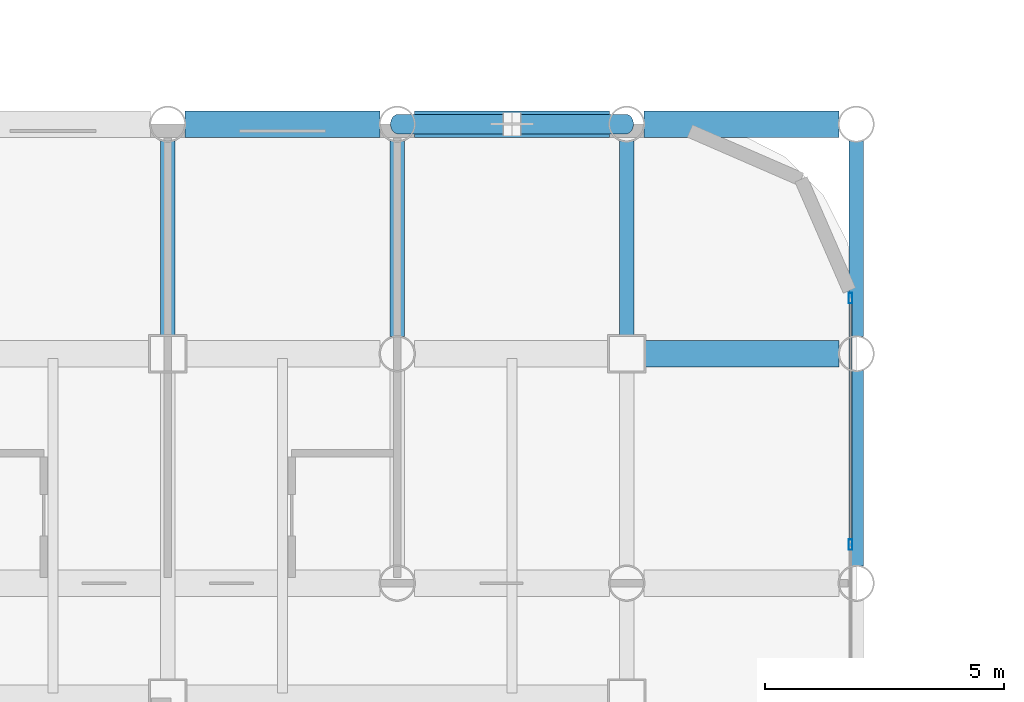
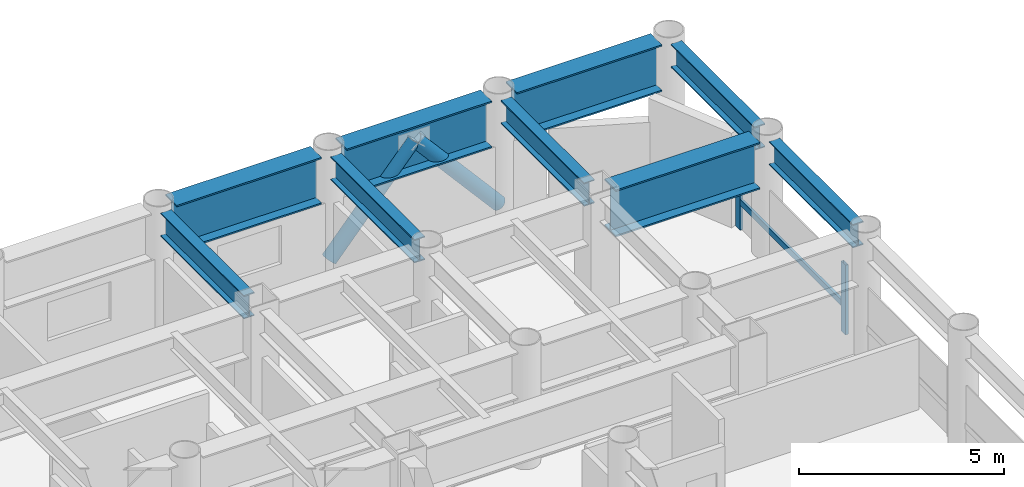
# One storey, part 14 of 24: 9 beams, 5 members, 1 element without a shape of its own.
"""IFC4 building model written with IfcOpenShell, lengths in metres."""

from ifc_helpers import new_model, si_unit, direction, frame, origin, origin_2d, place, context, subcontext, project, spatial, hollow_rectangle, hollow_circle, i_section, extrude, material, layer, layer_set, material_profile, profile_set, type_object, element, aggregate, save


model = new_model("IFC4")

# Units and contexts
model_context = context("Model", 3, precision=1e-05, world=origin(), true_north=direction((0.0, 1.0)))
body_context = subcontext(model_context, "Body", "Model", "MODEL_VIEW")
ifc_project = project(units=[si_unit("LENGTHUNIT", "METRE"), si_unit("AREAUNIT", "SQUARE_METRE"), si_unit("VOLUMEUNIT", "CUBIC_METRE"), si_unit("PLANEANGLEUNIT", "RADIAN"), si_unit("MASSUNIT", "GRAM", prefix="KILO")], contexts=[model_context])

# Site, building, storey
site_placement = place(None, origin())
site = spatial("IfcSite", under=ifc_project, at=site_placement, CompositionType="ELEMENT")
building_placement = place(site_placement, origin())
building = spatial("IfcBuilding", under=site, at=building_placement, Name="Kallvorn Hotel Tower", CompositionType="ELEMENT")
storey_placement = place(building_placement, frame((0.0, 0.0, 30.0)))
storey = spatial("IfcBuildingStorey", under=building, at=storey_placement, Name="L05", CompositionType="ELEMENT", Elevation=30.0)

# Beams
ifc_material_1 = material(Name="Structural steel S355JR", Category="steel")
ifc_material_profile_1 = material_profile(ifc_material_1, i_section(OverallWidth=0.300048828125, OverallDepth=0.699951171875, WebThickness=0.01708984375, FlangeThickness=0.031982421875, at=origin_2d()), Name="HE 700 B")
ifc_profile_set_1 = profile_set([ifc_material_profile_1], Name="Structural steel S355JR")
beam_type_1 = type_object("IfcBeamType", Name="BM_HE700B", PredefinedType="BEAM", material=ifc_profile_set_1)
beam_1_placement = place(storey_placement, frame((14.39990234375, 14.77490234375, 3.169921875), z_axis=(0.0, 1.0, 0.0), x_axis=(-1.0, 0.0, 0.0)))
element("IfcBeam", 1, at=beam_1_placement, inside=storey, type_object=beam_type_1, Name="L06 Primary Y-Girder 126", PredefinedType="BEAM", context=body_context, shape_type="SweptSolid", body=[
    extrude(i_section(OverallWidth=0.300048828125, OverallDepth=0.699951171875, WebThickness=0.01708984375, FlangeThickness=0.031982421875, at=origin_2d()), origin(), (0.0, 0.0, 1.0), 4.069091796875),
])
beam_2_placement = place(storey_placement, frame((19.199951171875, 14.756103515625, 3.169921875), z_axis=(0.0, 1.0, 0.0), x_axis=(-1.0, 0.0, 0.0)))
element("IfcBeam", 2, at=beam_2_placement, inside=storey, type_object=beam_type_1, Name="L06 Primary Y-Girder 135", PredefinedType="BEAM", context=body_context, shape_type="SweptSolid", body=[
    extrude(i_section(OverallWidth=0.300048828125, OverallDepth=0.699951171875, WebThickness=0.01708984375, FlangeThickness=0.031982421875, at=origin_2d()), origin(), (0.0, 0.0, 1.0), 4.087890625),
])
beam_3_placement = place(storey_placement, frame((24.0, 14.77490234375, 3.169921875), z_axis=(0.0, 1.0, 0.0), x_axis=(-1.0, 0.0, 0.0)))
element("IfcBeam", 3, at=beam_3_placement, inside=storey, type_object=beam_type_1, Name="L06 Primary Y-Girder 142", PredefinedType="BEAM", context=body_context, shape_type="SweptSolid", body=[
    extrude(i_section(OverallWidth=0.300048828125, OverallDepth=0.699951171875, WebThickness=0.01708984375, FlangeThickness=0.031982421875, at=origin_2d()), origin(), (0.0, 0.0, 1.0), 4.069091796875),
])
for number, where, z_axis, x_axis, name in (
    (4, (28.800048828125, 9.9560546875, 3.169921875), (0.0, 1.0, 0.0), (-1.0, 0.0, 0.0), "L06 Primary Y-Girder 149"),
    (5, (28.800048828125, 14.756103515625, 3.169921875), (0.0, 1.0, 0.0), (-1.0, 0.0, 0.0), "L06 Primary Y-Girder 150"),
):
    element("IfcBeam", number, at=place(storey_placement, frame(where, z_axis=z_axis, x_axis=x_axis)), inside=storey, type_object=beam_type_1, Name=name, PredefinedType="BEAM", context=body_context, shape_type="SweptSolid", body=[
        extrude(i_section(OverallWidth=0.300048828125, OverallDepth=0.699951171875, WebThickness=0.01708984375, FlangeThickness=0.031982421875, at=origin_2d()), origin(), (0.0, 0.0, 1.0), 4.087890625),
    ])
ifc_material_2 = material(Name="Structural steel S355JR", Category="steel")
ifc_material_profile_2 = material_profile(ifc_material_2, i_section(OverallWidth=0.550048828125, OverallDepth=1.39990234375, WebThickness=0.02490234375, FlangeThickness=0.044921875, at=origin_2d()), Name="PG 1400x550x25x45")
ifc_profile_set_2 = profile_set([ifc_material_profile_2], Name="Structural steel S355JR")
beam_type_2 = type_object("IfcBeamType", Name="BM_PG_1400", PredefinedType="BEAM", material=ifc_profile_set_2)
beam_4_placement = place(storey_placement, frame((24.375, 14.39990234375, 2.820068359375), z_axis=(1.0, 0.0, 0.0), x_axis=(0.0, 1.0, 0.0)))
element("IfcBeam", 6, at=beam_4_placement, inside=storey, type_object=beam_type_2, Name="L06 Primary X-Girder 60", PredefinedType="BEAM", context=body_context, shape_type="SweptSolid", body=[
    extrude(i_section(OverallWidth=0.550048828125, OverallDepth=1.39990234375, WebThickness=0.02490234375, FlangeThickness=0.044921875, at=origin_2d()), origin(), (0.0, 0.0, 1.0), 4.069091796875),
])
beam_5_placement = place(storey_placement, frame((14.756103515625, 19.199951171875, 2.820068359375), z_axis=(1.0, 0.0, 0.0), x_axis=(0.0, 1.0, 0.0)))
element("IfcBeam", 7, at=beam_5_placement, inside=storey, type_object=beam_type_2, Name="L06 Primary X-Girder 70", PredefinedType="BEAM", context=body_context, shape_type="SweptSolid", body=[
    extrude(i_section(OverallWidth=0.550048828125, OverallDepth=1.39990234375, WebThickness=0.02490234375, FlangeThickness=0.044921875, at=origin_2d()), origin(), (0.0, 0.0, 1.0), 4.087890625),
])
for number, where, z_axis, x_axis, name in (
    (8, (19.555908203125, 19.199951171875, 2.820068359375), (1.0, 0.0, 0.0), (0.0, 1.0, 0.0), "L06 Primary X-Girder 71"),
    (9, (24.35595703125, 19.199951171875, 2.820068359375), (1.0, 0.0, 0.0), (0.0, 1.0, 0.0), "L06 Primary X-Girder 72"),
):
    element("IfcBeam", number, at=place(storey_placement, frame(where, z_axis=z_axis, x_axis=x_axis)), inside=storey, type_object=beam_type_2, Name=name, PredefinedType="BEAM", context=body_context, shape_type="SweptSolid", body=[
        extrude(i_section(OverallWidth=0.550048828125, OverallDepth=1.39990234375, WebThickness=0.02490234375, FlangeThickness=0.044921875, at=origin_2d()), origin(), (0.0, 0.0, 1.0), 4.088134765625),
    ])

# Curtain wall, members
ifc_material_3 = material(Name="Thermally broken black-anodised aluminium AA 6063-T6", Category="aluminium")
ifc_layer = layer(ifc_material_3, 0.199951171875)
ifc_layer_set = layer_set([ifc_layer], Name="CW_SYS_3_HOTEL_LOW")
curtain_wall_type = type_object("IfcCurtainWallType", Name="CW_SYS_3_HOTEL_LOW", PredefinedType="USERDEFINED", material=ifc_layer_set)
curtain_wall_placement = place(storey_placement, origin())
curtain_wall = element("IfcCurtainWall", 10, at=curtain_wall_placement, inside=storey, type_object=curtain_wall_type, Name="L05 Dark-Glass Curtain Wall CW-L05-EN", ObjectType="UNITISED CURTAIN WALL", PredefinedType="USERDEFINED")
ifc_material_4 = material(Name="Thermally broken black-anodised aluminium AA 6063-T6", Category="aluminium")
ifc_material_profile_3 = material_profile(ifc_material_4, hollow_rectangle(XDim=0.080078125, YDim=0.219970703125, WallThickness=0.0048828125, at=origin_2d()), Name="MUL 220x80")
ifc_profile_set_3 = profile_set([ifc_material_profile_3], Name="Thermally broken black-anodised aluminium AA 6063-T6")
member_type_1 = type_object("IfcMemberType", Name="CW_MULLION_220x80", PredefinedType="MULLION", material=ifc_profile_set_3)
member_1_placement = place(storey_placement, frame((28.679931640625, 10.40673828125, 0.02001953125), z_axis=(0.0, 0.0, 1.0), x_axis=(1.0, 0.0, 0.0)))
member_1 = element("IfcMember", 11, at=member_1_placement, type_object=member_type_1, Name="CW-L05-EN Mullion 02", PredefinedType="MULLION", context=body_context, shape_type="SweptSolid", body=[
    extrude(hollow_rectangle(XDim=0.080078125, YDim=0.219970703125, WallThickness=0.0048828125, at=origin_2d()), origin(), (0.0, 0.0, 1.0), 2.080078125),
])
member_2_placement = place(storey_placement, frame((28.679931640625, 15.56005859375, 0.02001953125), z_axis=(0.0, 0.0, 1.0), x_axis=(1.0, 0.0, 0.0)))
member_2 = element("IfcMember", 12, at=member_2_placement, type_object=member_type_1, Name="CW-L05-EN Mullion 03", PredefinedType="MULLION", context=body_context, shape_type="SweptSolid", body=[
    extrude(hollow_rectangle(XDim=0.080078125, YDim=0.219970703125, WallThickness=0.0048828125, at=origin_2d()), origin(), (0.0, 0.0, 1.0), 2.080078125),
])
ifc_material_5 = material(Name="Thermally broken black-anodised aluminium AA 6063-T6", Category="aluminium")
ifc_material_profile_4 = material_profile(ifc_material_5, hollow_rectangle(XDim=0.070068359375, YDim=0.179931640625, WallThickness=0.00390625, at=origin_2d()), Name="TRN 180x70")
ifc_profile_set_4 = profile_set([ifc_material_profile_4], Name="Thermally broken black-anodised aluminium AA 6063-T6")
member_type_2 = type_object("IfcMemberType", Name="CW_TRANSOM_180x70", PredefinedType="USERDEFINED", material=ifc_profile_set_4)
member_3_placement = place(storey_placement, frame((28.679931640625, 10.44677734375, 0.85009765625), z_axis=(0.0, 1.0, 0.0), x_axis=(-1.0, 0.0, 0.0)))
member_3 = element("IfcMember", 13, at=member_3_placement, type_object=member_type_2, Name="CW-L05-EN Transom 02M", ObjectType="TRANSOM", PredefinedType="USERDEFINED", context=body_context, shape_type="SweptSolid", body=[
    extrude(hollow_rectangle(XDim=0.070068359375, YDim=0.179931640625, WallThickness=0.00390625, at=origin_2d()), origin(), (0.0, 0.0, 1.0), 5.11328125),
])
aggregate(curtain_wall, [member_1, member_2, member_3])

# Members
ifc_material_6 = material(Name="Structural steel S355J2H", Category="steel")
ifc_material_profile_5 = material_profile(ifc_material_6, hollow_circle(Radius=0.203125, WallThickness=0.01611328125, at=origin_2d()), Name="CHS 406.4x16")
ifc_profile_set_5 = profile_set([ifc_material_profile_5], Name="Structural steel S355J2H")
member_type_3 = type_object("IfcMemberType", Name="MBR_EXO_CHS406", PredefinedType="BRACE", material=ifc_profile_set_5)
for number, where, z_axis, x_axis, name in (
    (14, (19.213134765625, 19.199951171875, 0.195068359375), (0.65346062529, 0.0, 0.756960508346), (0.0, 1.0, 0.0), "L05 Exoskeleton K-Brace N2A"),
    (15, (23.98681640625, 19.199951171875, 0.195068359375), (-0.65346062529, 0.0, 0.756960508346), (0.0, -1.0, 0.0), "L05 Exoskeleton K-Brace N2B"),
):
    element("IfcMember", number, at=place(storey_placement, frame(where, z_axis=z_axis, x_axis=x_axis)), inside=storey, type_object=member_type_3, Name=name, PredefinedType="BRACE", context=body_context, shape_type="SweptSolid", body=[
        extrude(hollow_circle(Radius=0.203125, WallThickness=0.01611328125, at=origin_2d()), origin(), (0.0, 0.0, 1.0), 3.632568359375),
    ])

save(model, "model.ifc")
